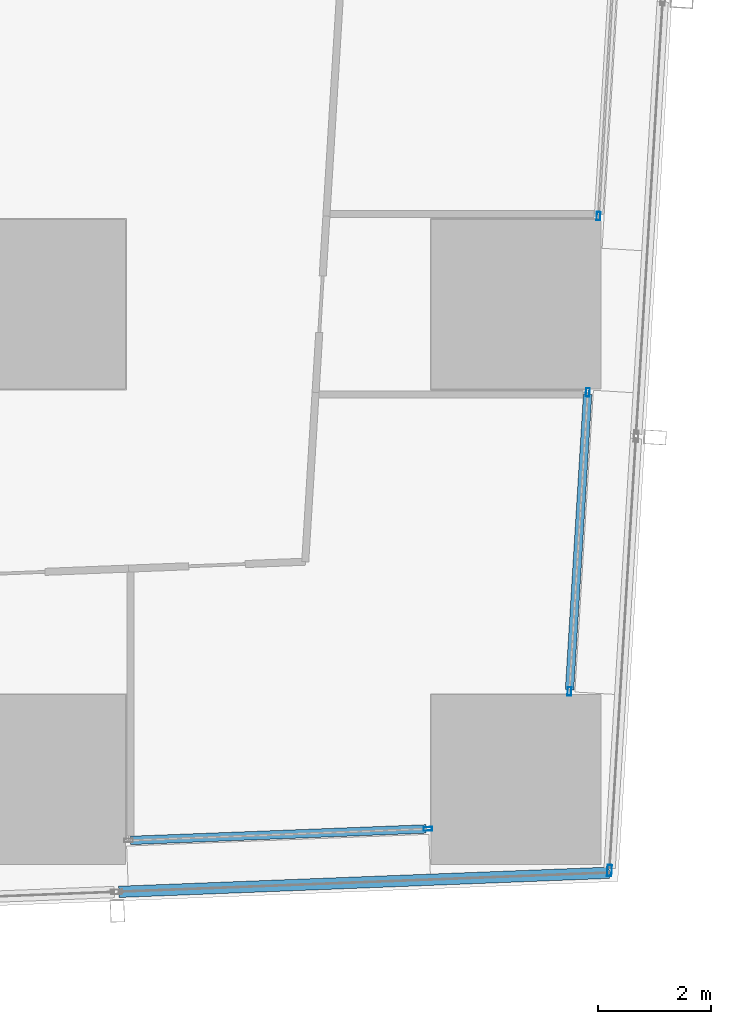
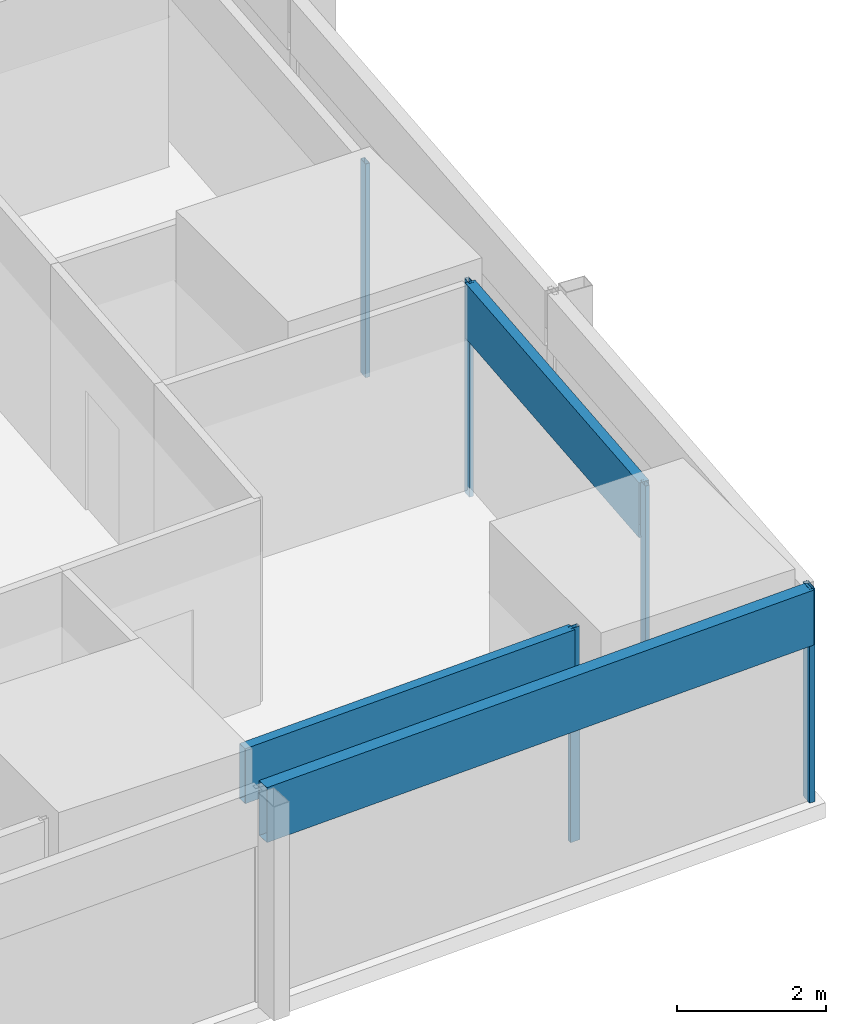
# One storey, part 12 of 39: 8 members, 5 elements without a shape of their own.
"""IFC4 building model written with IfcOpenShell, lengths in metres."""

from ifc_helpers import new_model, si_unit, direction, frame, origin, origin_2d, place, context, subcontext, project, spatial, hollow_rectangle, extrude, material, material_profile, profile_set, type_object, element, aggregate, save


model = new_model("IFC4")

# Units and contexts
model_context = context("Model", 3, precision=1e-05, world=origin(), true_north=direction((0.0, 1.0)))
body_context = subcontext(model_context, "Body", "Model", "MODEL_VIEW")
ifc_project = project(units=[si_unit("LENGTHUNIT", "METRE"), si_unit("AREAUNIT", "SQUARE_METRE"), si_unit("VOLUMEUNIT", "CUBIC_METRE"), si_unit("PLANEANGLEUNIT", "RADIAN"), si_unit("MASSUNIT", "GRAM", prefix="KILO")], contexts=[model_context])

# Site, building, storey
site_placement = place(None, origin())
site = spatial("IfcSite", under=ifc_project, at=site_placement, CompositionType="ELEMENT")
building_placement = place(site_placement, origin())
building = spatial("IfcBuilding", under=site, at=building_placement, Name="Rekha Terrace Tower", CompositionType="ELEMENT")
storey_placement = place(building_placement, frame((0.0, 0.0, 155.300048828125)))
storey = spatial("IfcBuildingStorey", under=building, at=storey_placement, Name="L39", CompositionType="ELEMENT", Elevation=155.300048828125)

# Curtain wall, member
ifc_material_1 = material(Name="Aluminium framing", Category="aluminium")
curtain_wall_type_1 = type_object("IfcCurtainWallType", Name="CW1 double skin inner glazing", PredefinedType="USERDEFINED", material=ifc_material_1)
curtain_wall_1_placement = place(storey_placement, origin())
curtain_wall_1 = element("IfcCurtainWall", 1, at=curtain_wall_1_placement, inside=storey, type_object=curtain_wall_type_1, Name="CW1 double skin inner glazing", ObjectType="DOUBLE SKIN INNER GLAZING", PredefinedType="USERDEFINED")
ifc_material_2 = material(Name="Aluminium mullion section", Category="aluminium")
ifc_material_profile_1 = material_profile(ifc_material_2, hollow_rectangle(XDim=0.06494140625, YDim=0.14990234375, WallThickness=0.00390625, at=origin_2d()), Name="AL RHS 65x150")
ifc_profile_set_1 = profile_set([ifc_material_profile_1], Name="Aluminium mullion section")
member_type_1 = type_object("IfcMemberType", Name="CW1 mullion RHS 65 x 150", PredefinedType="MULLION", material=ifc_profile_set_1)
member_1_placement = place(storey_placement, frame((65.643798828125, 15.93017578125, 0.0), z_axis=(0.0, 0.0, 1.0), x_axis=(-0.038889971328, 0.999243498918, 0.0)))
member_1 = element("IfcMember", 2, at=member_1_placement, type_object=member_type_1, Name="CW1 mullion 2", PredefinedType="MULLION", context=body_context, shape_type="SweptSolid", body=[
    extrude(hollow_rectangle(XDim=0.06494140625, YDim=0.14990234375, WallThickness=0.00390625, at=origin_2d()), origin(), (0.0, 0.0, 1.0), 3.5),
])

# Curtain wall, members
curtain_wall_2_placement = place(storey_placement, origin())
curtain_wall_2 = element("IfcCurtainWall", 3, at=curtain_wall_2_placement, inside=storey, type_object=curtain_wall_type_1, Name="CW1 double skin inner glazing", ObjectType="DOUBLE SKIN INNER GLAZING", PredefinedType="USERDEFINED")
member_2_placement = place(storey_placement, frame((68.143798828125, 18.358154296875, 0.0), z_axis=(0.0, 0.0, 1.0), x_axis=(-0.998127987022, 0.061159803166, 0.0)))
member_2 = element("IfcMember", 4, at=member_2_placement, type_object=member_type_1, Name="CW1 mullion 1", PredefinedType="MULLION", context=body_context, shape_type="SweptSolid", body=[
    extrude(hollow_rectangle(XDim=0.06494140625, YDim=0.14990234375, WallThickness=0.00390625, at=origin_2d()), origin(), (0.0, 0.0, 1.0), 3.5),
])
member_3_placement = place(storey_placement, frame((68.467529296875, 23.641845703125, 0.0), z_axis=(0.0, 0.0, 1.0), x_axis=(-0.998127987022, 0.061159803166, 0.0)))
member_3 = element("IfcMember", 5, at=member_3_placement, type_object=member_type_1, Name="CW1 mullion 2", PredefinedType="MULLION", context=body_context, shape_type="SweptSolid", body=[
    extrude(hollow_rectangle(XDim=0.06494140625, YDim=0.14990234375, WallThickness=0.00390625, at=origin_2d()), origin(), (0.0, 0.0, 1.0), 3.5),
])

# Curtain wall, member
curtain_wall_3_placement = place(storey_placement, origin())
curtain_wall_3 = element("IfcCurtainWall", 6, at=curtain_wall_3_placement, inside=storey, type_object=curtain_wall_type_1, Name="CW1 double skin inner glazing", ObjectType="DOUBLE SKIN INNER GLAZING", PredefinedType="USERDEFINED")
member_4_placement = place(storey_placement, frame((68.658203125, 26.755126953125, 0.0), z_axis=(0.0, 0.0, 1.0), x_axis=(-0.998127987023, 0.061159803148, 0.0)))
member_4 = element("IfcMember", 7, at=member_4_placement, type_object=member_type_1, Name="CW1 mullion 1", PredefinedType="MULLION", context=body_context, shape_type="SweptSolid", body=[
    extrude(hollow_rectangle(XDim=0.06494140625, YDim=0.14990234375, WallThickness=0.00390625, at=origin_2d()), origin(), (0.0, 0.0, 1.0), 3.5),
])
aggregate(curtain_wall_3, [member_4])

# Member
ifc_material_3 = material(Name="Insulated aluminium spandrel box", Category="aluminium")
ifc_material_profile_2 = material_profile(ifc_material_3, hollow_rectangle(XDim=0.14990234375, YDim=0.89990234375, WallThickness=0.0029296875, at=origin_2d()), Name="AL SPANDREL BOX 150x900")
ifc_profile_set_2 = profile_set([ifc_material_profile_2], Name="Insulated aluminium spandrel box")
member_type_2 = type_object("IfcMemberType", Name="CW1 spandrel transom 150 x 900", PredefinedType="USERDEFINED", material=ifc_profile_set_2)
member_5_placement = place(storey_placement, frame((60.388671875, 15.7255859375, 3.050048828125), z_axis=(0.999242707462, 0.038910301763, 0.0), x_axis=(-0.038910301763, 0.999242707462, 0.0)))
member_5 = element("IfcMember", 8, at=member_5_placement, type_object=member_type_2, Name="CW1 spandrel transom 1", ObjectType="TRANSOM", PredefinedType="USERDEFINED", context=body_context, shape_type="SweptSolid", body=[
    extrude(hollow_rectangle(XDim=0.14990234375, YDim=0.89990234375, WallThickness=0.0029296875, at=origin_2d()), origin(), (0.0, 0.0, 1.0), 5.2265625),
])

aggregate(curtain_wall_1, [member_1, member_5])

member_6_placement = place(storey_placement, frame((68.145751953125, 18.390625, 3.050048828125), z_axis=(0.061168924531, 0.998127428073, 0.0), x_axis=(-0.998127428073, 0.061168924531, 0.0)))
member_6 = element("IfcMember", 9, at=member_6_placement, type_object=member_type_2, Name="CW1 spandrel transom 1", ObjectType="TRANSOM", PredefinedType="USERDEFINED", context=body_context, shape_type="SweptSolid", body=[
    extrude(hollow_rectangle(XDim=0.14990234375, YDim=0.89990234375, WallThickness=0.0029296875, at=origin_2d()), origin(), (0.0, 0.0, 1.0), 5.228515625),
])

aggregate(curtain_wall_2, [member_2, member_3, member_6])

# Curtain wall, member
curtain_wall_type_2 = type_object("IfcCurtainWallType", Name="CW2 double skin outer glazing", PredefinedType="USERDEFINED", material=ifc_material_1)
curtain_wall_4_placement = place(storey_placement, origin())
curtain_wall_4 = element("IfcCurtainWall", 10, at=curtain_wall_4_placement, inside=storey, type_object=curtain_wall_type_2, Name="CW2 double skin outer glazing", ObjectType="DOUBLE SKIN OUTER GLAZING", PredefinedType="USERDEFINED")
ifc_material_profile_3 = material_profile(ifc_material_2, hollow_rectangle(XDim=0.080078125, YDim=0.199951171875, WallThickness=0.00390625, at=origin_2d()), Name="AL RHS 80x200")
ifc_profile_set_3 = profile_set([ifc_material_profile_3], Name="Aluminium mullion section")
member_type_3 = type_object("IfcMemberType", Name="CW2 mullion RHS 80 x 200", PredefinedType="MULLION", material=ifc_profile_set_3)
member_7_placement = place(storey_placement, frame((68.8515625, 15.194091796875, 0.0), z_axis=(0.0, 0.0, 1.0), x_axis=(-0.998127987024, 0.061159803131, 0.0)))
member_7 = element("IfcMember", 11, at=member_7_placement, type_object=member_type_3, Name="CW2 mullion 1", PredefinedType="MULLION", context=body_context, shape_type="SweptSolid", body=[
    extrude(hollow_rectangle(XDim=0.080078125, YDim=0.199951171875, WallThickness=0.00390625, at=origin_2d()), origin(), (0.0, 0.0, 1.0), 3.5),
])
aggregate(curtain_wall_4, [member_7])

curtain_wall_5_placement = place(storey_placement, origin())
curtain_wall_5 = element("IfcCurtainWall", 12, at=curtain_wall_5_placement, inside=storey, type_object=curtain_wall_type_2, Name="CW2 double skin outer glazing", ObjectType="DOUBLE SKIN OUTER GLAZING", PredefinedType="USERDEFINED")
ifc_material_profile_4 = material_profile(ifc_material_3, hollow_rectangle(XDim=0.199951171875, YDim=0.89990234375, WallThickness=0.0029296875, at=origin_2d()), Name="AL SPANDREL BOX 200x900")
ifc_profile_set_4 = profile_set([ifc_material_profile_4], Name="Insulated aluminium spandrel box")
member_type_4 = type_object("IfcMemberType", Name="CW2 spandrel transom 200 x 900", PredefinedType="USERDEFINED", material=ifc_profile_set_4)
member_8_placement = place(storey_placement, frame((60.18408203125, 14.81689453125, 3.050048828125), z_axis=(0.99924276334, 0.038908866757, 0.0), x_axis=(-0.038908866757, 0.99924276334, 0.0)))
member_8 = element("IfcMember", 13, at=member_8_placement, type_object=member_type_4, Name="CW2 spandrel transom 5", ObjectType="TRANSOM", PredefinedType="USERDEFINED", context=body_context, shape_type="SweptSolid", body=[
    extrude(hollow_rectangle(XDim=0.199951171875, YDim=0.89990234375, WallThickness=0.0029296875, at=origin_2d()), origin(), (0.0, 0.0, 1.0), 8.671630859375),
])
aggregate(curtain_wall_5, [member_8])

save(model, "model.ifc")
